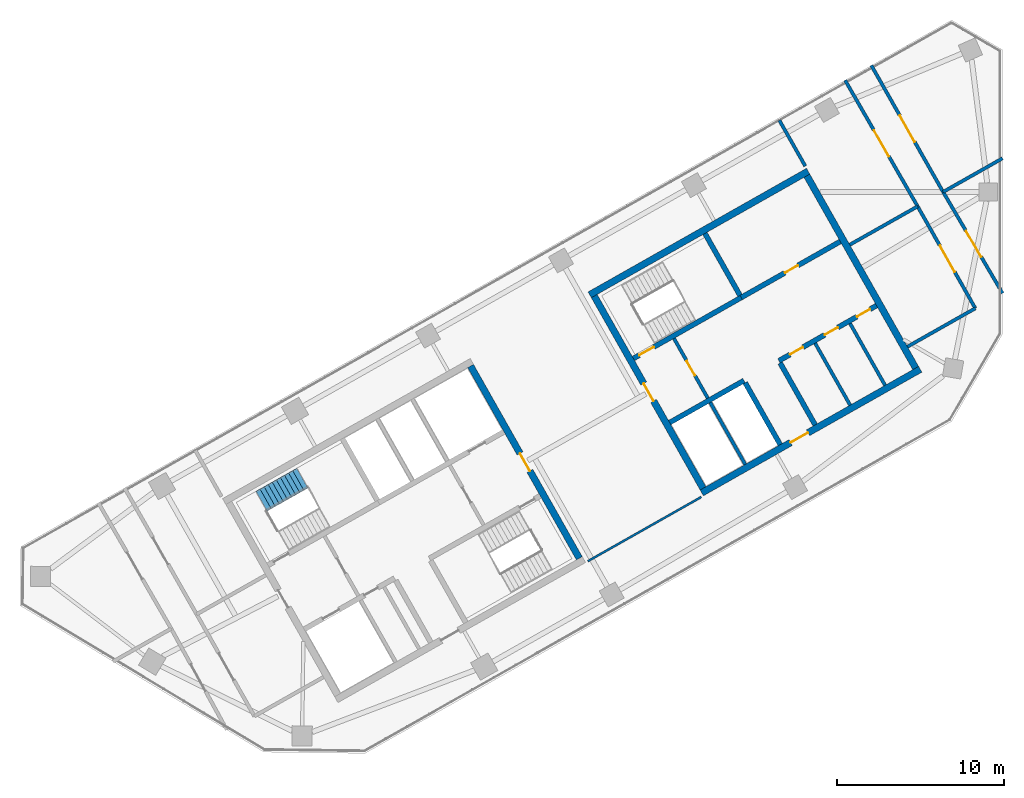
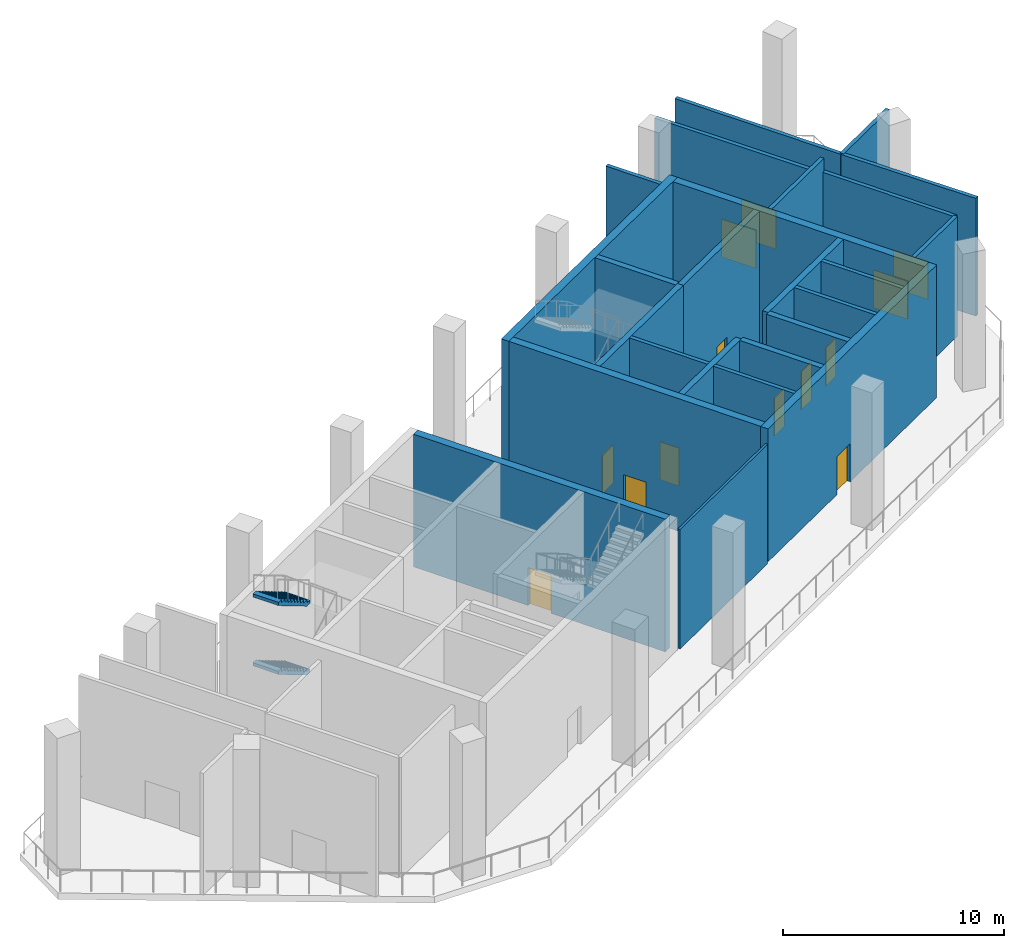
# One storey, part 3 of 6: 25 walls, 13 doors, 2 stair flights, 13 openings, 1 element without a shape of its own.
"""IFC4 building model written with IfcOpenShell, lengths in metres."""

from ifc_helpers import new_model, si_unit, direction, frame, frame_2d, origin, place, context, subcontext, project, spatial, polyline, rectangle, outline, extrude, material, layer, layer_set, type_object, element, fill, aggregate, save


model = new_model("IFC4")

# Units and contexts
model_context = context("Model", 3, precision=1e-05, world=origin(), true_north=direction((0.0, 1.0)))
body_context = subcontext(model_context, "Body", "Model", "MODEL_VIEW")
ifc_project = project(units=[si_unit("LENGTHUNIT", "METRE"), si_unit("AREAUNIT", "SQUARE_METRE"), si_unit("VOLUMEUNIT", "CUBIC_METRE"), si_unit("PLANEANGLEUNIT", "RADIAN"), si_unit("MASSUNIT", "GRAM", prefix="KILO")], contexts=[model_context])

# Site, building, storey
site_placement = place(None, origin())
site = spatial("IfcSite", under=ifc_project, at=site_placement, CompositionType="ELEMENT")
building_placement = place(site_placement, origin())
building = spatial("IfcBuilding", under=site, at=building_placement, Name="Binnacle Exchange Tower", CompositionType="ELEMENT")
storey_placement = place(building_placement, frame((0.0, 0.0, 285.5)))
storey = spatial("IfcBuildingStorey", under=building, at=storey_placement, Name="L64", CompositionType="ELEMENT", Elevation=285.5)

# Walls
ifc_material_1 = material(Name="Gypsum partition fire rated")
ifc_layer_1 = layer(ifc_material_1, 0.199951171875)
ifc_layer_set_1 = layer_set([ifc_layer_1], Name="Core partition 200")
wall_type_1 = type_object("IfcWallType", Name="Core partition 200", PredefinedType="PARTITIONING", material=ifc_layer_set_1)
wall_1_placement = place(storey_placement, frame((-11.201904296875, 50.96240234375, 0.0), z_axis=(0.0, 0.0, 1.0), x_axis=(0.492441437811, -0.870345580977, 0.0)))
element("IfcWall", 1, at=wall_1_placement, inside=storey, type_object=wall_type_1, Name="Core wall CRWC19", PredefinedType="PARTITIONING", context=body_context, shape_type="SweptSolid", body=[
    extrude(rectangle(XDim=4.250244140625, YDim=0.199951171875, at=frame_2d((2.125, 0.0))), origin(), (0.0, 0.0, 1.0), 7.320068359375),
])
wall_2_placement = place(storey_placement, frame((-9.11279296875, 52.14404296875, 0.0), z_axis=(0.0, 0.0, 1.0), x_axis=(0.492422543467, -0.870356271124, 0.0)))
element("IfcWall", 2, at=wall_2_placement, inside=storey, type_object=wall_type_1, Name="Core wall CRWC22", PredefinedType="PARTITIONING", context=body_context, shape_type="SweptSolid", body=[
    extrude(rectangle(XDim=4.25, YDim=0.199951171875, at=frame_2d((2.125, 0.0))), origin(), (0.0, 0.0, 1.0), 7.320068359375),
])
ifc_material_2 = material(Name="Concrete C70/85", Category="concrete")
ifc_layer_2 = layer(ifc_material_2, 0.300048828125)
ifc_layer_set_2 = layer_set([ifc_layer_2], Name="Core wall - front 300")
wall_type_2 = type_object("IfcWallType", Name="Core wall - front 300", PredefinedType="SOLIDWALL", material=ifc_layer_set_2)
wall_3_placement = place(storey_placement, frame((-19.89208984375, 46.2177734375, 0.0), z_axis=(0.0, 0.0, 1.0), x_axis=(0.870341639186, 0.492448404505, 0.0)))
element("IfcWall", 3, at=wall_3_placement, inside=storey, type_object=wall_type_2, Name="Core wall CRWC2", PredefinedType="SOLIDWALL", context=body_context, shape_type="SweptSolid", body=[
    extrude(rectangle(XDim=5.099853515625, YDim=0.300048828125, at=frame_2d((2.5498046875, 0.0))), origin(), (0.0, 0.0, 1.0), 7.320068359375),
])

# Wall, openings, doors
wall_4_placement = place(storey_placement, frame((-13.364501953125, 49.910888671875, 0.0), z_axis=(0.0, 0.0, 1.0), x_axis=(0.870347618718, 0.492437836272, 0.0)))
wall_4 = element("IfcWall", 4, at=wall_4_placement, inside=storey, type_object=wall_type_2, Name="Core wall CRWC3", PredefinedType="SOLIDWALL", context=body_context, shape_type="SweptSolid", body=[
    extrude(rectangle(XDim=6.699951171875, YDim=0.300048828125, at=frame_2d((3.35009765625, 0.0))), origin(), (0.0, 0.0, 1.0), 7.320068359375),
])
opening_1_placement = place(wall_4_placement, frame((0.75, 0.0, 0.0)))
opening_1 = element("IfcOpeningElement", 5, at=opening_1_placement, cuts=wall_4, Name="Opening DC18", PredefinedType="OPENING", context=body_context, shape_type="SweptSolid", body=[
    extrude(rectangle(XDim=0.89990234375, YDim=2.10009765625, at=frame_2d((0.449951171875, 1.050048828125))), frame((0.0, 0.159912109375, 0.0), z_axis=(0.0, -1.0, 0.0), x_axis=(1.0, 0.0, 0.0)), (0.0, 0.0, 1.0), 0.320068359375),
])
opening_2_placement = place(wall_4_placement, frame((3.14990234375, 0.0, 0.0)))
opening_2 = element("IfcOpeningElement", 6, at=opening_2_placement, cuts=wall_4, Name="Opening DC19", PredefinedType="OPENING", context=body_context, shape_type="SweptSolid", body=[
    extrude(rectangle(XDim=0.89990234375, YDim=2.10009765625, at=frame_2d((0.449951171875, 1.050048828125))), frame((0.0, 0.159912109375, 0.0), z_axis=(0.0, -1.0, 0.0), x_axis=(1.0, 0.0, 0.0)), (0.0, 0.0, 1.0), 0.320068359375),
])
opening_3_placement = place(wall_4_placement, frame((5.35009765625, 0.0, 0.0)))
opening_3 = element("IfcOpeningElement", 7, at=opening_3_placement, cuts=wall_4, Name="Opening DC20", PredefinedType="OPENING", context=body_context, shape_type="SweptSolid", body=[
    extrude(rectangle(XDim=0.89990234375, YDim=2.10009765625, at=frame_2d((0.449951171875, 1.050048828125))), frame((0.0, 0.159912109375, 0.0), z_axis=(0.0, -1.0, 0.0), x_axis=(1.0, 0.0, 0.0)), (0.0, 0.0, 1.0), 0.320068359375),
])
ifc_material_3 = material(Name="Steel door leaf", Category="steel")
door_type_1 = type_object("IfcDoorType", Name="Fire door 900", OperationType="NOTDEFINED", PredefinedType="DOOR", material=ifc_material_3)
door_1_placement = place(opening_1_placement, frame((0.89990234375, 0.0, 0.0), z_axis=(0.0, 0.0, 1.0), x_axis=(-1.0, 0.0, 0.0)))
door_1 = element("IfcDoor", 8, at=door_1_placement, inside=storey, type_object=door_type_1, Name="Core room door COMMS RISER ROOM", OperationType="SINGLE_SWING_RIGHT", OverallHeight=2.10009765625, OverallWidth=0.89990234375, PredefinedType="DOOR", context=body_context, shape_type="SweptSolid", body=[
    extrude(rectangle(XDim=0.89990234375, YDim=2.10009765625, at=frame_2d((0.449951171875, 1.050048828125))), frame((0.0, 0.02490234375, 0.0), z_axis=(0.0, -1.0, 0.0), x_axis=(1.0, 0.0, 0.0)), (0.0, 0.0, 1.0), 0.050048828125),
])
fill(opening_1, door_1)
door_2_placement = place(opening_2_placement, frame((0.89990234375, 0.0, 0.0), z_axis=(0.0, 0.0, 1.0), x_axis=(-1.0, 0.0, 0.0)))
door_2 = element("IfcDoor", 9, at=door_2_placement, inside=storey, type_object=door_type_1, Name="Core room door CLEANERS STORE", OperationType="SINGLE_SWING_LEFT", OverallHeight=2.10009765625, OverallWidth=0.89990234375, PredefinedType="DOOR", context=body_context, shape_type="SweptSolid", body=[
    extrude(rectangle(XDim=0.89990234375, YDim=2.10009765625, at=frame_2d((0.449951171875, 1.050048828125))), frame((0.0, 0.02490234375, 0.0), z_axis=(0.0, -1.0, 0.0), x_axis=(1.0, 0.0, 0.0)), (0.0, 0.0, 1.0), 0.050048828125),
])
fill(opening_2, door_2)
door_3_placement = place(opening_3_placement, frame((0.89990234375, 0.0, 0.0), z_axis=(0.0, 0.0, 1.0), x_axis=(-1.0, 0.0, 0.0)))
door_3 = element("IfcDoor", 10, at=door_3_placement, inside=storey, type_object=door_type_1, Name="Core room door IT STORE", OperationType="SINGLE_SWING_LEFT", OverallHeight=2.10009765625, OverallWidth=0.89990234375, PredefinedType="DOOR", context=body_context, shape_type="SweptSolid", body=[
    extrude(rectangle(XDim=0.89990234375, YDim=2.10009765625, at=frame_2d((0.449951171875, 1.050048828125))), frame((0.0, 0.02490234375, 0.0), z_axis=(0.0, -1.0, 0.0), x_axis=(1.0, 0.0, 0.0)), (0.0, 0.0, 1.0), 0.050048828125),
])
fill(opening_3, door_3)

# Wall, opening, door
wall_5_placement = place(storey_placement, frame((-15.6181640625, 53.69140625, 0.0), z_axis=(0.0, 0.0, 1.0), x_axis=(0.870362830851, 0.492410948978, 0.0)))
wall_5 = element("IfcWall", 11, at=wall_5_placement, inside=storey, type_object=wall_type_2, Name="Core wall CRWC5", PredefinedType="SOLIDWALL", context=body_context, shape_type="SweptSolid", body=[
    extrude(rectangle(XDim=6.800048828125, YDim=0.300048828125, at=frame_2d((3.39990234375, 0.0))), origin(), (0.0, 0.0, 1.0), 7.320068359375),
])
opening_4_placement = place(wall_5_placement, frame((3.0, 0.0, 0.0)))
opening_4 = element("IfcOpeningElement", 12, at=opening_4_placement, cuts=wall_5, Name="Opening DC10", PredefinedType="OPENING", context=body_context, shape_type="SweptSolid", body=[
    extrude(rectangle(XDim=0.89990234375, YDim=2.10009765625, at=frame_2d((0.449951171875, 1.050048828125))), frame((0.0, 0.159912109375, 0.0), z_axis=(0.0, -1.0, 0.0), x_axis=(1.0, 0.0, 0.0)), (0.0, 0.0, 1.0), 0.320068359375),
])
door_4_placement = place(opening_4_placement, origin())
door_4 = element("IfcDoor", 13, at=door_4_placement, inside=storey, type_object=door_type_1, Name="Core room door SPARES STORE", OperationType="SINGLE_SWING_RIGHT", OverallHeight=2.10009765625, OverallWidth=0.89990234375, PredefinedType="DOOR", context=body_context, shape_type="SweptSolid", body=[
    extrude(rectangle(XDim=0.89990234375, YDim=2.10009765625, at=frame_2d((0.449951171875, 1.050048828125))), frame((0.0, 0.02490234375, 0.0), z_axis=(0.0, -1.0, 0.0), x_axis=(1.0, 0.0, 0.0)), (0.0, 0.0, 1.0), 0.050048828125),
])
fill(opening_4, door_4)

# Walls
wall_6_placement = place(storey_placement, frame((-15.37939453125, 48.5986328125, 0.0), z_axis=(0.0, 0.0, 1.0), x_axis=(0.492422543467, -0.870356271124, 0.0)))
element("IfcWall", 14, at=wall_6_placement, inside=storey, type_object=wall_type_2, Name="Core wall CRWC13", PredefinedType="SOLIDWALL", context=body_context, shape_type="SweptSolid", body=[
    extrude(rectangle(XDim=4.25, YDim=0.300048828125, at=frame_2d((2.125, 0.0))), origin(), (0.0, 0.0, 1.0), 7.320068359375),
])
wall_7_placement = place(storey_placement, frame((-13.29052734375, 49.780517578125, 0.0), z_axis=(0.0, 0.0, 1.0), x_axis=(0.492397924348, -0.870370199454, 0.0)))
element("IfcWall", 15, at=wall_7_placement, inside=storey, type_object=wall_type_2, Name="Core wall CRWC15", PredefinedType="SOLIDWALL", context=body_context, shape_type="SweptSolid", body=[
    extrude(rectangle(XDim=4.250244140625, YDim=0.300048828125, at=frame_2d((2.125, 0.0))), origin(), (0.0, 0.0, 1.0), 7.320068359375),
])

# Wall, opening, door
ifc_layer_3 = layer(ifc_material_2, 0.39990234375)
ifc_layer_set_3 = layer_set([ifc_layer_3], Name="Core wall - outer 400")
wall_type_3 = type_object("IfcWallType", Name="Core wall - outer 400", PredefinedType="SOLIDWALL", material=ifc_layer_set_3)
wall_8_placement = place(storey_placement, frame((-31.78955078125, 49.597412109375, 0.0), z_axis=(0.0, 0.0, 1.0), x_axis=(0.492421663121, -0.870356769198, 0.0)))
wall_8 = element("IfcWall", 16, at=wall_8_placement, inside=storey, type_object=wall_type_3, Name="Core wall CRWA22", PredefinedType="SOLIDWALL", context=body_context, shape_type="SweptSolid", body=[
    extrude(rectangle(XDim=13.199951171875, YDim=0.39990234375, at=frame_2d((6.60009765625, 0.0))), origin(), (0.0, 0.0, 1.0), 7.320068359375),
])
opening_5_placement = place(wall_8_placement, frame((6.0, 0.0, 0.0)))
opening_5 = element("IfcOpeningElement", 17, at=opening_5_placement, cuts=wall_8, Name="Opening DA6", PredefinedType="OPENING", context=body_context, shape_type="SweptSolid", body=[
    extrude(rectangle(XDim=1.199951171875, YDim=2.10009765625, at=frame_2d((0.60009765625, 1.050048828125))), frame((0.0, 0.2099609375, 0.0), z_axis=(0.0, -1.0, 0.0), x_axis=(1.0, 0.0, 0.0)), (0.0, 0.0, 1.0), 0.419921875),
])
door_type_2 = type_object("IfcDoorType", Name="Fire door 1200", OperationType="NOTDEFINED", PredefinedType="DOOR", material=ifc_material_3)
door_5_placement = place(opening_5_placement, origin())
door_5 = element("IfcDoor", 18, at=door_5_placement, inside=storey, type_object=door_type_2, Name="Vestibule exit door VEST-E", OperationType="SINGLE_SWING_LEFT", OverallHeight=2.10009765625, OverallWidth=1.199951171875, PredefinedType="DOOR", context=body_context, shape_type="SweptSolid", body=[
    extrude(rectangle(XDim=1.199951171875, YDim=2.10009765625, at=frame_2d((0.60009765625, 1.050048828125))), frame((0.0, 0.02490234375, 0.0), z_axis=(0.0, -1.0, 0.0), x_axis=(1.0, 0.0, 0.0)), (0.0, 0.0, 1.0), 0.050048828125),
])
fill(opening_5, door_5)

wall_9_placement = place(storey_placement, frame((-17.97509765625, 42.01708984375, 0.0), z_axis=(0.0, 0.0, 1.0), x_axis=(0.87034965173, 0.492434243055, 0.0)))
wall_9 = element("IfcWall", 19, at=wall_9_placement, inside=storey, type_object=wall_type_3, Name="Core wall CRWC1", PredefinedType="SOLIDWALL", context=body_context, shape_type="SweptSolid", body=[
    extrude(rectangle(XDim=15.0, YDim=0.39990234375, at=frame_2d((7.5, 0.0))), origin(), (0.0, 0.0, 1.0), 7.320068359375),
])
opening_6_placement = place(wall_9_placement, frame((6.10009765625, 0.0, 0.0)))
opening_6 = element("IfcOpeningElement", 20, at=opening_6_placement, cuts=wall_9, Name="Opening DC7", PredefinedType="OPENING", context=body_context, shape_type="SweptSolid", body=[
    extrude(rectangle(XDim=1.199951171875, YDim=2.10009765625, at=frame_2d((0.60009765625, 1.050048828125))), frame((0.0, 0.2099609375, 0.0), z_axis=(0.0, -1.0, 0.0), x_axis=(1.0, 0.0, 0.0)), (0.0, 0.0, 1.0), 0.419921875),
])
door_6_placement = place(opening_6_placement, frame((1.199951171875, 0.0, 0.0), z_axis=(0.0, 0.0, 1.0), x_axis=(-1.0, 0.0, 0.0)))
door_6 = element("IfcDoor", 21, at=door_6_placement, inside=storey, type_object=door_type_2, Name="Lift lobby entrance door core C", OperationType="SINGLE_SWING_RIGHT", OverallHeight=2.10009765625, OverallWidth=1.199951171875, PredefinedType="DOOR", context=body_context, shape_type="SweptSolid", body=[
    extrude(rectangle(XDim=1.199951171875, YDim=2.10009765625, at=frame_2d((0.60009765625, 1.050048828125))), frame((0.0, 0.02490234375, 0.0), z_axis=(0.0, -1.0, 0.0), x_axis=(1.0, 0.0, 0.0)), (0.0, 0.0, 1.0), 0.050048828125),
])
fill(opening_6, door_6)

# Wall
wall_10_placement = place(storey_placement, frame((-24.672119140625, 53.85400390625, 0.0), z_axis=(0.0, 0.0, 1.0), x_axis=(0.870353598469, 0.492427267353, 0.0)))
element("IfcWall", 22, at=wall_10_placement, inside=storey, type_object=wall_type_3, Name="Core wall CRWC6", PredefinedType="SOLIDWALL", context=body_context, shape_type="SweptSolid", body=[
    extrude(rectangle(XDim=15.000244140625, YDim=0.39990234375, at=frame_2d((7.5, 0.0))), origin(), (0.0, 0.0, 1.0), 7.320068359375),
])

# Wall, opening, door
wall_11_placement = place(storey_placement, frame((-24.399658203125, 53.778564453125, 0.0), z_axis=(0.0, 0.0, 1.0), x_axis=(0.492421663121, -0.870356769198, 0.0)))
wall_11 = element("IfcWall", 23, at=wall_11_placement, inside=storey, type_object=wall_type_3, Name="Core wall CRWC7", PredefinedType="SOLIDWALL", context=body_context, shape_type="SweptSolid", body=[
    extrude(rectangle(XDim=13.199951171875, YDim=0.39990234375, at=frame_2d((6.60009765625, 0.0))), origin(), (0.0, 0.0, 1.0), 7.320068359375),
])
opening_7_placement = place(wall_11_placement, frame((6.0, 0.0, 0.0)))
opening_7 = element("IfcOpeningElement", 24, at=opening_7_placement, cuts=wall_11, Name="Opening DC5", PredefinedType="OPENING", context=body_context, shape_type="SweptSolid", body=[
    extrude(rectangle(XDim=1.199951171875, YDim=2.10009765625, at=frame_2d((0.60009765625, 1.050048828125))), frame((0.0, 0.2099609375, 0.0), z_axis=(0.0, -1.0, 0.0), x_axis=(1.0, 0.0, 0.0)), (0.0, 0.0, 1.0), 0.419921875),
])
door_7_placement = place(opening_7_placement, frame((1.199951171875, 0.0, 0.0), z_axis=(0.0, 0.0, 1.0), x_axis=(-1.0, 0.0, 0.0)))
door_7 = element("IfcDoor", 25, at=door_7_placement, inside=storey, type_object=door_type_2, Name="Vestibule exit door VEST-W", OperationType="SINGLE_SWING_RIGHT", OverallHeight=2.10009765625, OverallWidth=1.199951171875, PredefinedType="DOOR", context=body_context, shape_type="SweptSolid", body=[
    extrude(rectangle(XDim=1.199951171875, YDim=2.10009765625, at=frame_2d((0.60009765625, 1.050048828125))), frame((0.0, 0.02490234375, 0.0), z_axis=(0.0, -1.0, 0.0), x_axis=(1.0, 0.0, 0.0)), (0.0, 0.0, 1.0), 0.050048828125),
])
fill(opening_7, door_7)

# Wall
wall_12_placement = place(storey_placement, frame((-11.6923828125, 60.968017578125, 0.0), z_axis=(0.0, 0.0, 1.0), x_axis=(0.492421663121, -0.870356769198, 0.0)))
element("IfcWall", 26, at=wall_12_placement, inside=storey, type_object=wall_type_3, Name="Core wall CRWC24", PredefinedType="SOLIDWALL", context=body_context, shape_type="SweptSolid", body=[
    extrude(rectangle(XDim=13.199951171875, YDim=0.39990234375, at=frame_2d((6.60009765625, 0.0))), origin(), (0.0, 0.0, 1.0), 7.320068359375),
])

# Wall, opening, door
ifc_layer_4 = layer(ifc_material_2, 0.300048828125)
ifc_layer_set_4 = layer_set([ifc_layer_4], Name="Core wall - stair 300")
wall_type_4 = type_object("IfcWallType", Name="Core wall - stair 300", PredefinedType="SOLIDWALL", material=ifc_layer_set_4)
wall_13_placement = place(storey_placement, frame((-22.058837890625, 50.04736328125, 0.0), z_axis=(0.0, 0.0, 1.0), x_axis=(0.87035077051, 0.49243226567, 0.0)))
wall_13 = element("IfcWall", 27, at=wall_13_placement, inside=storey, type_object=wall_type_4, Name="Core wall CRWC4", PredefinedType="SOLIDWALL", context=body_context, shape_type="SweptSolid", body=[
    extrude(rectangle(XDim=7.400146484375, YDim=0.300048828125, at=frame_2d((3.7001953125, 0.0))), origin(), (0.0, 0.0, 1.0), 7.320068359375),
])
opening_8_placement = place(wall_13_placement, frame((0.39990234375, 0.0, 0.0)))
opening_8 = element("IfcOpeningElement", 28, at=opening_8_placement, cuts=wall_13, Name="Opening DC1", PredefinedType="OPENING", context=body_context, shape_type="SweptSolid", body=[
    extrude(rectangle(XDim=1.0, YDim=2.10009765625, at=frame_2d((0.5, 1.050048828125))), frame((0.0, 0.159912109375, 0.0), z_axis=(0.0, -1.0, 0.0), x_axis=(1.0, 0.0, 0.0)), (0.0, 0.0, 1.0), 0.320068359375),
])
door_type_3 = type_object("IfcDoorType", Name="Fire door 1000", OperationType="NOTDEFINED", PredefinedType="DOOR", material=ifc_material_3)
door_8_placement = place(opening_8_placement, origin())
door_8 = element("IfcDoor", 29, at=door_8_placement, inside=storey, type_object=door_type_3, Name="Stair door ST-C1", OperationType="SINGLE_SWING_LEFT", OverallHeight=2.10009765625, OverallWidth=1.0, PredefinedType="DOOR", context=body_context, shape_type="SweptSolid", body=[
    extrude(rectangle(XDim=1.0, YDim=2.10009765625, at=frame_2d((0.5, 1.050048828125))), frame((0.0, 0.02490234375, 0.0), z_axis=(0.0, -1.0, 0.0), x_axis=(1.0, 0.0, 0.0)), (0.0, 0.0, 1.0), 0.050048828125),
])
fill(opening_8, door_8)

# Walls
wall_14_placement = place(storey_placement, frame((-17.784912109375, 57.52099609375, 0.0), z_axis=(0.0, 0.0, 1.0), x_axis=(0.492422543467, -0.870356271124, 0.0)))
element("IfcWall", 30, at=wall_14_placement, inside=storey, type_object=wall_type_4, Name="Core wall CRWC14", PredefinedType="SOLIDWALL", context=body_context, shape_type="SweptSolid", body=[
    extrude(rectangle(XDim=4.25, YDim=0.300048828125, at=frame_2d((2.125, 0.0))), origin(), (0.0, 0.0, 1.0), 7.320068359375),
])
ifc_material_4 = material(Name="Masonry block wall", Category="masonry")
ifc_layer_5 = layer(ifc_material_4, 0.199951171875)
ifc_layer_set_5 = layer_set([ifc_layer_5], Name="Fire wall - block 200")
wall_type_5 = type_object("IfcWallType", Name="Fire wall - block 200", PredefinedType="PARTITIONING", material=ifc_layer_set_5)
wall_15_placement = place(storey_placement, frame((-13.3369140625, 64.281982421875, 0.0), z_axis=(0.0, 0.0, 1.0), x_axis=(0.492254242764, -0.870451469342, 0.0)))
element("IfcWall", 31, at=wall_15_placement, inside=storey, type_object=wall_type_5, Name="Partition W10", PredefinedType="PARTITIONING", context=body_context, shape_type="SweptSolid", body=[
    extrude(rectangle(XDim=3.14453125, YDim=0.199951171875, at=frame_2d((1.572265625, 0.0))), origin(), (0.0, 0.0, 1.0), 6.68798828125),
])

# Wall, opening, door
wall_16_placement = place(storey_placement, frame((-9.407958984375, 66.677001953125, 0.0), z_axis=(0.0, 0.0, 1.0), x_axis=(0.498350836267, -0.866975457549, 0.0)))
wall_16 = element("IfcWall", 32, at=wall_16_placement, inside=storey, type_object=wall_type_5, Name="Partition W11", PredefinedType="PARTITIONING", context=body_context, shape_type="SweptSolid", body=[
    extrude(rectangle(XDim=8.694580078125, YDim=0.199951171875, at=frame_2d((4.34716796875, 0.0))), origin(), (0.0, 0.0, 1.0), 6.5),
])
opening_9_placement = place(wall_16_placement, frame((3.449951171875, 0.0, 0.0)))
opening_9 = element("IfcOpeningElement", 33, at=opening_9_placement, cuts=wall_16, Name="Opening DL64-06", PredefinedType="OPENING", context=body_context, shape_type="SweptSolid", body=[
    extrude(rectangle(XDim=1.800048828125, YDim=2.10009765625, at=frame_2d((0.89990234375, 1.050048828125))), frame((0.0, 0.10986328125, 0.0), z_axis=(0.0, -1.0, 0.0), x_axis=(1.0, 0.0, 0.0)), (0.0, 0.0, 1.0), 0.219970703125),
])
door_type_4 = type_object("IfcDoorType", Name="Fire door 1800", OperationType="NOTDEFINED", PredefinedType="DOOR", material=ifc_material_3)
door_9_placement = place(opening_9_placement, frame((1.800048828125, 0.0, 0.0), z_axis=(0.0, 0.0, 1.0), x_axis=(-1.0, 0.0, 0.0)))
door_9 = element("IfcDoor", 34, at=door_9_placement, inside=storey, type_object=door_type_4, Name="Door DL64-06", OperationType="DOUBLE_DOOR_SINGLE_SWING", OverallHeight=2.10009765625, OverallWidth=1.800048828125, PredefinedType="DOOR", context=body_context, shape_type="SweptSolid", body=[
    extrude(rectangle(XDim=1.800048828125, YDim=2.10009765625, at=frame_2d((0.89990234375, 1.050048828125))), frame((0.0, 0.02490234375, 0.0), z_axis=(0.0, -1.0, 0.0), x_axis=(1.0, 0.0, 0.0)), (0.0, 0.0, 1.0), 0.050048828125),
])
fill(opening_9, door_9)

# Wall
wall_17_placement = place(storey_placement, frame((-9.1298828125, 56.844970703125, 0.0), z_axis=(0.0, 0.0, 1.0), x_axis=(0.870376359509, 0.49238703558, 0.0)))
element("IfcWall", 35, at=wall_17_placement, inside=storey, type_object=wall_type_5, Name="Partition W12", PredefinedType="PARTITIONING", context=body_context, shape_type="SweptSolid", body=[
    extrude(rectangle(XDim=4.658935546875, YDim=0.199951171875, at=frame_2d((2.32958984375, 0.0))), origin(), (0.0, 0.0, 1.0), 7.320068359375),
])

# Wall, opening, door
wall_18_placement = place(storey_placement, frame((-7.841064453125, 67.56396484375, 0.0), z_axis=(0.0, 0.0, 1.0), x_axis=(0.49330585857, -0.869855924795, 0.0)))
wall_18 = element("IfcWall", 36, at=wall_18_placement, inside=storey, type_object=wall_type_5, Name="Partition W13", PredefinedType="PARTITIONING", context=body_context, shape_type="SweptSolid", body=[
    extrude(rectangle(XDim=8.694580078125, YDim=0.199951171875, at=frame_2d((4.34716796875, 0.0))), origin(), (0.0, 0.0, 1.0), 6.5),
])
opening_10_placement = place(wall_18_placement, frame((3.449951171875, 0.0, 0.0)))
opening_10 = element("IfcOpeningElement", 37, at=opening_10_placement, cuts=wall_18, Name="Opening DL64-08", PredefinedType="OPENING", context=body_context, shape_type="SweptSolid", body=[
    extrude(rectangle(XDim=1.800048828125, YDim=2.10009765625, at=frame_2d((0.89990234375, 1.050048828125))), frame((0.0, 0.10986328125, 0.0), z_axis=(0.0, -1.0, 0.0), x_axis=(1.0, 0.0, 0.0)), (0.0, 0.0, 1.0), 0.219970703125),
])
door_10_placement = place(opening_10_placement, origin())
door_10 = element("IfcDoor", 38, at=door_10_placement, inside=storey, type_object=door_type_4, Name="Door DL64-08", OperationType="DOUBLE_DOOR_SINGLE_SWING", OverallHeight=2.10009765625, OverallWidth=1.800048828125, PredefinedType="DOOR", context=body_context, shape_type="SweptSolid", body=[
    extrude(rectangle(XDim=1.800048828125, YDim=2.10009765625, at=frame_2d((0.89990234375, 1.050048828125))), frame((0.0, 0.02490234375, 0.0), z_axis=(0.0, -1.0, 0.0), x_axis=(1.0, 0.0, 0.0)), (0.0, 0.0, 1.0), 0.050048828125),
])
fill(opening_10, door_10)

# Wall
wall_19_placement = place(storey_placement, frame((-5.68310546875, 50.7529296875, 0.0), z_axis=(0.0, 0.0, 1.0), x_axis=(0.870366606776, 0.492404274767, 0.0)))
element("IfcWall", 39, at=wall_19_placement, inside=storey, type_object=wall_type_5, Name="Partition W14", PredefinedType="PARTITIONING", context=body_context, shape_type="SweptSolid", body=[
    extrude(rectangle(XDim=4.6591796875, YDim=0.199951171875, at=frame_2d((2.32958984375, 0.0))), origin(), (0.0, 0.0, 1.0), 6.60009765625),
])

# Wall, opening, door
wall_20_placement = place(storey_placement, frame((-5.074951171875, 59.138916015625, 0.0), z_axis=(0.0, 0.0, 1.0), x_axis=(0.492472114048, -0.870328223652, 0.0)))
wall_20 = element("IfcWall", 40, at=wall_20_placement, inside=storey, type_object=wall_type_5, Name="Partition W15", PredefinedType="PARTITIONING", context=body_context, shape_type="SweptSolid", body=[
    extrude(rectangle(XDim=6.99951171875, YDim=0.199951171875, at=frame_2d((3.499755859375, 0.0))), origin(), (0.0, 0.0, 1.0), 6.60009765625),
])
opening_11_placement = place(wall_20_placement, frame((2.699951171875, 0.0, 0.0)))
opening_11 = element("IfcOpeningElement", 41, at=opening_11_placement, cuts=wall_20, Name="Opening DL64-05", PredefinedType="OPENING", context=body_context, shape_type="SweptSolid", body=[
    extrude(rectangle(XDim=1.800048828125, YDim=2.10009765625, at=frame_2d((0.89990234375, 1.050048828125))), frame((0.0, 0.10986328125, 0.0), z_axis=(0.0, -1.0, 0.0), x_axis=(1.0, 0.0, 0.0)), (0.0, 0.0, 1.0), 0.219970703125),
])
door_11_placement = place(opening_11_placement, frame((1.800048828125, 0.0, 0.0), z_axis=(0.0, 0.0, 1.0), x_axis=(-1.0, 0.0, 0.0)))
door_11 = element("IfcDoor", 42, at=door_11_placement, inside=storey, type_object=door_type_4, Name="Door DL64-05", OperationType="DOUBLE_DOOR_SINGLE_SWING", OverallHeight=2.10009765625, OverallWidth=1.800048828125, PredefinedType="DOOR", context=body_context, shape_type="SweptSolid", body=[
    extrude(rectangle(XDim=1.800048828125, YDim=2.10009765625, at=frame_2d((0.89990234375, 1.050048828125))), frame((0.0, 0.02490234375, 0.0), z_axis=(0.0, -1.0, 0.0), x_axis=(1.0, 0.0, 0.0)), (0.0, 0.0, 1.0), 0.050048828125),
])
fill(opening_11, door_11)

wall_21_placement = place(storey_placement, frame((-3.552001953125, 60.0009765625, 0.0), z_axis=(0.0, 0.0, 1.0), x_axis=(0.506112260372, -0.862467610929, 0.0)))
wall_21 = element("IfcWall", 43, at=wall_21_placement, inside=storey, type_object=wall_type_5, Name="Partition W16", PredefinedType="PARTITIONING", context=body_context, shape_type="SweptSolid", body=[
    extrude(rectangle(XDim=7.018310546875, YDim=0.199951171875, at=frame_2d((3.50927734375, 0.0))), origin(), (0.0, 0.0, 1.0), 6.5),
])
opening_12_placement = place(wall_21_placement, frame((2.699951171875, 0.0, 0.0)))
opening_12 = element("IfcOpeningElement", 44, at=opening_12_placement, cuts=wall_21, Name="Opening DL64-07", PredefinedType="OPENING", context=body_context, shape_type="SweptSolid", body=[
    extrude(rectangle(XDim=1.800048828125, YDim=2.10009765625, at=frame_2d((0.89990234375, 1.050048828125))), frame((0.0, 0.10986328125, 0.0), z_axis=(0.0, -1.0, 0.0), x_axis=(1.0, 0.0, 0.0)), (0.0, 0.0, 1.0), 0.219970703125),
])
door_12_placement = place(opening_12_placement, origin())
door_12 = element("IfcDoor", 45, at=door_12_placement, inside=storey, type_object=door_type_4, Name="Door DL64-07", OperationType="DOUBLE_DOOR_SINGLE_SWING", OverallHeight=2.10009765625, OverallWidth=1.800048828125, PredefinedType="DOOR", context=body_context, shape_type="SweptSolid", body=[
    extrude(rectangle(XDim=1.800048828125, YDim=2.10009765625, at=frame_2d((0.89990234375, 1.050048828125))), frame((0.0, 0.02490234375, 0.0), z_axis=(0.0, -1.0, 0.0), x_axis=(1.0, 0.0, 0.0)), (0.0, 0.0, 1.0), 0.050048828125),
])
fill(opening_12, door_12)

# Wall
wall_22_placement = place(storey_placement, frame((-3.552001953125, 60.0009765625, 0.0), z_axis=(0.0, 0.0, 1.0), x_axis=(0.870315394397, 0.492494786038, 0.0)))
element("IfcWall", 46, at=wall_22_placement, inside=storey, type_object=wall_type_5, Name="Partition W17", PredefinedType="PARTITIONING", context=body_context, shape_type="SweptSolid", body=[
    extrude(rectangle(XDim=4.081298828125, YDim=0.199951171875, at=frame_2d((2.04052734375, 0.0))), origin(), (0.0, 0.0, 1.0), 6.5),
])

# Wall, opening, door
ifc_layer_6 = layer(ifc_material_4, 0.199951171875)
ifc_layer_set_6 = layer_set([ifc_layer_6], Name="Fire wall - vestibule 200")
wall_type_6 = type_object("IfcWallType", Name="Fire wall - vestibule 200", PredefinedType="PARTITIONING", material=ifc_layer_set_6)
wall_23_placement = place(storey_placement, frame((-19.635009765625, 51.246337890625, 0.0), z_axis=(0.0, 0.0, 1.0), x_axis=(0.492408451753, -0.87036424366, 0.0)))
wall_23 = element("IfcWall", 47, at=wall_23_placement, inside=storey, type_object=wall_type_6, Name="Core wall CRWC10", PredefinedType="PARTITIONING", context=body_context, shape_type="SweptSolid", body=[
    extrude(rectangle(XDim=4.099853515625, YDim=0.199951171875, at=frame_2d((2.0498046875, 0.0))), origin(), (0.0, 0.0, 1.0), 7.320068359375),
])
opening_13_placement = place(wall_23_placement, frame((1.550048828125, 0.0, 0.0)))
opening_13 = element("IfcOpeningElement", 48, at=opening_13_placement, cuts=wall_23, Name="Opening DC3", PredefinedType="OPENING", context=body_context, shape_type="SweptSolid", body=[
    extrude(rectangle(XDim=1.0, YDim=2.10009765625, at=frame_2d((0.5, 1.050048828125))), frame((0.0, 0.10986328125, 0.0), z_axis=(0.0, -1.0, 0.0), x_axis=(1.0, 0.0, 0.0)), (0.0, 0.0, 1.0), 0.219970703125),
])
door_13_placement = place(opening_13_placement, frame((1.0, 0.0, 0.0), z_axis=(0.0, 0.0, 1.0), x_axis=(-1.0, 0.0, 0.0)))
door_13 = element("IfcDoor", 49, at=door_13_placement, inside=storey, type_object=door_type_3, Name="Vestibule door VEST-W", OperationType="SINGLE_SWING_RIGHT", OverallHeight=2.10009765625, OverallWidth=1.0, PredefinedType="DOOR", context=body_context, shape_type="SweptSolid", body=[
    extrude(rectangle(XDim=1.0, YDim=2.10009765625, at=frame_2d((0.5, 1.050048828125))), frame((0.0, 0.02490234375, 0.0), z_axis=(0.0, -1.0, 0.0), x_axis=(1.0, 0.0, 0.0)), (0.0, 0.0, 1.0), 0.050048828125),
])
fill(opening_13, door_13)

# Walls
ifc_material_5 = material(Name="Gypsum partition")
ifc_layer_7 = layer(ifc_material_5, 0.125)
ifc_layer_set_7 = layer_set([ifc_layer_7], Name="Partition 125")
wall_type_7 = type_object("IfcWallType", Name="Partition 125", PredefinedType="PARTITIONING", material=ifc_layer_set_7)
wall_24_placement = place(storey_placement, frame((-24.7880859375, 37.93310546875, 0.0), z_axis=(0.0, 0.0, 1.0), x_axis=(0.870387107086, 0.492368036959, 0.0)))
element("IfcWall", 50, at=wall_24_placement, inside=storey, type_object=wall_type_7, Name="Partition W09", PredefinedType="PARTITIONING", context=body_context, shape_type="SweptSolid", body=[
    extrude(rectangle(XDim=7.790771484375, YDim=0.125, at=frame_2d((3.8955078125, 0.0))), origin(), (0.0, 0.0, 1.0), 6.592041015625),
])
ifc_layer_8 = layer(ifc_material_4, 0.199951171875)
ifc_layer_set_8 = layer_set([ifc_layer_8], Name="Shaft wall 200")
wall_type_8 = type_object("IfcWallType", Name="Shaft wall 200", PredefinedType="SOLIDWALL", material=ifc_layer_set_8)
wall_25_placement = place(storey_placement, frame((-17.468505859375, 47.416748046875, 0.0), z_axis=(0.0, 0.0, 1.0), x_axis=(0.492466057713, -0.870331650579, 0.0)))
element("IfcWall", 51, at=wall_25_placement, inside=storey, type_object=wall_type_8, Name="Core wall CRWC9", PredefinedType="SOLIDWALL", context=body_context, shape_type="SweptSolid", body=[
    extrude(rectangle(XDim=4.25, YDim=0.199951171875, at=frame_2d((2.125, 0.0))), origin(), (0.0, 0.0, 1.0), 7.320068359375),
])

# Stair, stair flights
ifc_material_6 = material(Name="Concrete C35/45", Category="concrete")
stair_type = type_object("IfcStairType", Name="STAIR 44 RISERS 173", PredefinedType="HALF_TURN_STAIR", material=ifc_material_6)
stair_placement = place(storey_placement, origin())
stair = element("IfcStair", 52, at=stair_placement, inside=storey, type_object=stair_type, Name="L64 Escape stair A1", PredefinedType="HALF_TURN_STAIR")
stair_flight_type = type_object("IfcStairFlightType", Name="STAIR FLIGHT 173X280", PredefinedType="STRAIGHT", material=ifc_material_6)
stair_flight_1_placement = place(storey_placement, frame((-41.846435546875, 42.902099609375, 1.89990234375), z_axis=(0.0, 0.0, 1.0), x_axis=(-0.870355584213, -0.492423757581, 0.0)))
stair_flight_1 = element("IfcStairFlight", 53, at=stair_flight_1_placement, type_object=stair_flight_type, Name="STA1 flight 2", NumberOfRisers=11, NumberOfTreads=10, PredefinedType="STRAIGHT", RiserHeight=0.172727273, TreadLength=0.28, context=body_context, shape_type="SweptSolid", body=[
    extrude(outline(polyline([(0.0, 0.0), (0.0, 0.172607421875), (0.280029296875, 0.172607421875), (0.280029296875, 0.345458984375), (0.56005859375, 0.345458984375), (0.56005859375, 0.51806640625), (0.840087890625, 0.51806640625), (0.840087890625, 0.69091796875), (1.1201171875, 0.69091796875), (1.1201171875, 0.863525390625), (1.39990234375, 0.863525390625), (1.39990234375, 1.036376953125), (1.679931640625, 1.036376953125), (1.679931640625, 1.208984375), (1.9599609375, 1.208984375), (1.9599609375, 1.3818359375), (2.239990234375, 1.3818359375), (2.239990234375, 1.554443359375), (2.52001953125, 1.554443359375), (2.52001953125, 1.727294921875), (2.800048828125, 1.727294921875), (2.800048828125, 1.89990234375), (2.800048828125, 1.551025390625), (0.285400390625, 0.0), (0.0, 0.0)])), frame((0.0, 0.675048828125, 0.0), z_axis=(0.0, -1.0, 0.0), x_axis=(1.0, 0.0, 0.0)), (0.0, 0.0, 1.0), 1.35009765625),
])
stair_flight_2_placement = place(storey_placement, frame((-41.846435546875, 42.902099609375, 5.699951171875), z_axis=(0.0, 0.0, 1.0), x_axis=(-0.870355584213, -0.492423757581, 0.0)))
stair_flight_2 = element("IfcStairFlight", 54, at=stair_flight_2_placement, type_object=stair_flight_type, Name="STA1 flight 4", NumberOfRisers=11, NumberOfTreads=10, PredefinedType="STRAIGHT", RiserHeight=0.172727273, TreadLength=0.28, context=body_context, shape_type="SweptSolid", body=[
    extrude(outline(polyline([(0.0, 0.0), (0.0, 0.172607421875), (0.280029296875, 0.172607421875), (0.280029296875, 0.345458984375), (0.56005859375, 0.345458984375), (0.56005859375, 0.51806640625), (0.840087890625, 0.51806640625), (0.840087890625, 0.69091796875), (1.1201171875, 0.69091796875), (1.1201171875, 0.863525390625), (1.39990234375, 0.863525390625), (1.39990234375, 1.036376953125), (1.679931640625, 1.036376953125), (1.679931640625, 1.208984375), (1.9599609375, 1.208984375), (1.9599609375, 1.3818359375), (2.239990234375, 1.3818359375), (2.239990234375, 1.554443359375), (2.52001953125, 1.554443359375), (2.52001953125, 1.727294921875), (2.800048828125, 1.727294921875), (2.800048828125, 1.89990234375), (2.800048828125, 1.551025390625), (0.285400390625, 0.0), (0.0, 0.0)])), frame((0.0, 0.675048828125, 0.0), z_axis=(0.0, -1.0, 0.0), x_axis=(1.0, 0.0, 0.0)), (0.0, 0.0, 1.0), 1.35009765625),
])
aggregate(stair, [stair_flight_1, stair_flight_2])

save(model, "model.ifc")
